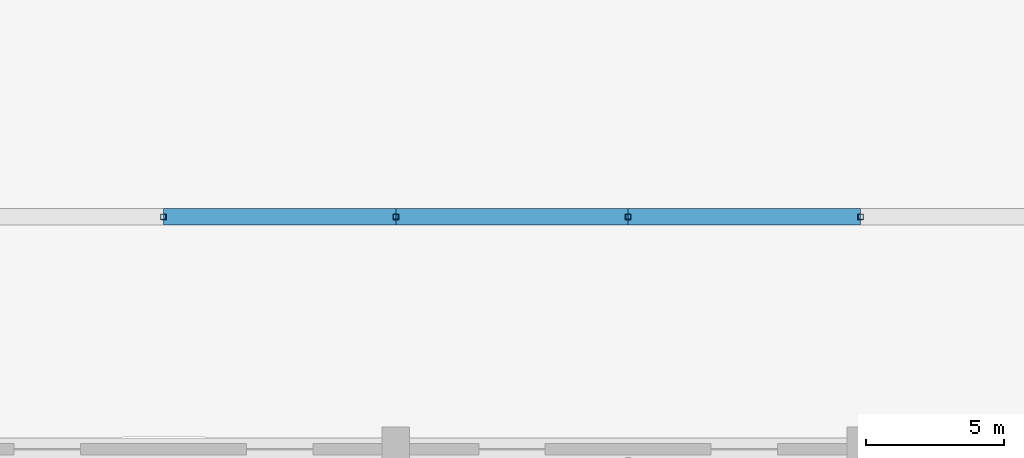
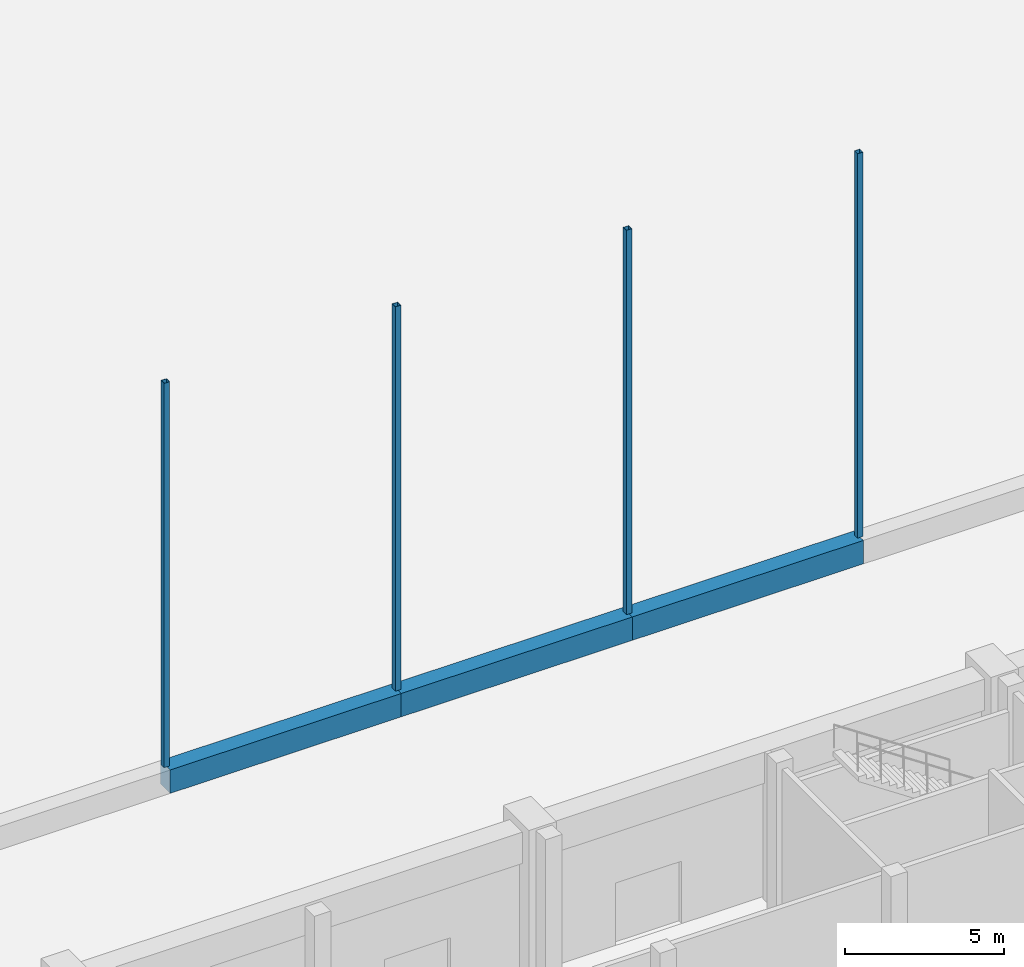
# One storey, part 35 of 210: 4 members, 3 beams.
"""IFC4 building model written with IfcOpenShell, lengths in metres."""

from ifc_helpers import new_model, si_unit, direction, frame, origin, origin_2d, place, context, subcontext, project, spatial, rectangle, hollow_rectangle, extrude, material, material_profile, profile_set, type_object, element, save


model = new_model("IFC4")

# Units and contexts
model_context = context("Model", 3, precision=1e-05, world=origin(), true_north=direction((0.0, 1.0)))
body_context = subcontext(model_context, "Body", "Model", "MODEL_VIEW")
ifc_project = project(units=[si_unit("LENGTHUNIT", "METRE"), si_unit("AREAUNIT", "SQUARE_METRE"), si_unit("VOLUMEUNIT", "CUBIC_METRE"), si_unit("PLANEANGLEUNIT", "RADIAN"), si_unit("MASSUNIT", "GRAM", prefix="KILO")], contexts=[model_context])

# Site, building, storey
site_placement = place(None, origin())
site = spatial("IfcSite", under=ifc_project, at=site_placement, CompositionType="ELEMENT")
building_placement = place(site_placement, origin())
building = spatial("IfcBuilding", under=site, at=building_placement, Name="Rain Tree Exposition and Congress Centre", CompositionType="ELEMENT")
storey_placement = place(building_placement, origin())
storey = spatial("IfcBuildingStorey", under=building, at=storey_placement, Name="L00", CompositionType="ELEMENT", Elevation=0.0)

# Beams
ifc_material_1 = material(Name="Precast concrete C50/60", Category="concrete")
ifc_material_profile_1 = material_profile(ifc_material_1, rectangle(XDim=0.60009765625, YDim=0.89990234375, at=origin_2d()), Name="RC 600x900")
ifc_profile_set_1 = profile_set([ifc_material_profile_1], Name="Precast concrete C50/60")
beam_type = type_object("IfcBeamType", Name="Precast beam 600x900", PredefinedType="BEAM", material=ifc_profile_set_1)
for number, where, z_axis, x_axis, name in (
    (1, (33.60009765625, 109.199951171875, 5.25), (1.0, 0.0, 0.0), (0.0, 1.0, 0.0), "Gallery edge beam 3"),
    (2, (42.0, 109.199951171875, 5.25), (1.0, 0.0, 0.0), (0.0, 1.0, 0.0), "Gallery edge beam 4"),
):
    element("IfcBeam", number, at=place(storey_placement, frame(where, z_axis=z_axis, x_axis=x_axis)), inside=storey, type_object=beam_type, Name=name, PredefinedType="BEAM", context=body_context, shape_type="SweptSolid", body=[
        extrude(rectangle(XDim=0.60009765625, YDim=0.89990234375, at=origin_2d()), origin(), (0.0, 0.0, 1.0), 8.39990234375),
    ])
beam_placement = place(storey_placement, frame((50.39990234375, 109.199951171875, 5.25), z_axis=(1.0, 0.0, 0.0), x_axis=(0.0, 1.0, 0.0)))
element("IfcBeam", 3, at=beam_placement, inside=storey, type_object=beam_type, Name="Gallery edge beam 5", PredefinedType="BEAM", context=body_context, shape_type="SweptSolid", body=[
    extrude(rectangle(XDim=0.60009765625, YDim=0.89990234375, at=origin_2d()), origin(), (0.0, 0.0, 1.0), 8.400146484375),
])

# Members
ifc_material_2 = material(Name="Steel S355J2H", Category="steel")
ifc_material_profile_2 = material_profile(ifc_material_2, hollow_rectangle(XDim=0.199951171875, YDim=0.199951171875, WallThickness=0.009033203125, at=origin_2d()), Name="RHS 200x200x9")
ifc_profile_set_2 = profile_set([ifc_material_profile_2], Name="Steel S355J2H")
member_type = type_object("IfcMemberType", Name="Steel member member RHS 200x200x9", PredefinedType="MEMBER", material=ifc_profile_set_2)
for number, where, z_axis, x_axis, name in (
    (4, (33.60009765625, 109.199951171875, 5.699951171875), (0.0, 0.0, 1.0), (1.0, 0.0, 0.0), "Gallery hanger 14"),
    (5, (42.0, 109.199951171875, 5.699951171875), (0.0, 0.0, 1.0), (1.0, 0.0, 0.0), "Gallery hanger 15"),
    (6, (50.39990234375, 109.199951171875, 5.699951171875), (0.0, 0.0, 1.0), (1.0, 0.0, 0.0), "Gallery hanger 16"),
    (7, (58.800048828125, 109.199951171875, 5.699951171875), (0.0, 0.0, 1.0), (1.0, 0.0, 0.0), "Gallery hanger 17"),
):
    element("IfcMember", number, at=place(storey_placement, frame(where, z_axis=z_axis, x_axis=x_axis)), inside=storey, type_object=member_type, Name=name, PredefinedType="MEMBER", context=body_context, shape_type="SweptSolid", body=[
        extrude(hollow_rectangle(XDim=0.199951171875, YDim=0.199951171875, WallThickness=0.009033203125, at=origin_2d()), origin(), (0.0, 0.0, 1.0), 14.766845703125),
    ])

save(model, "model.ifc")
